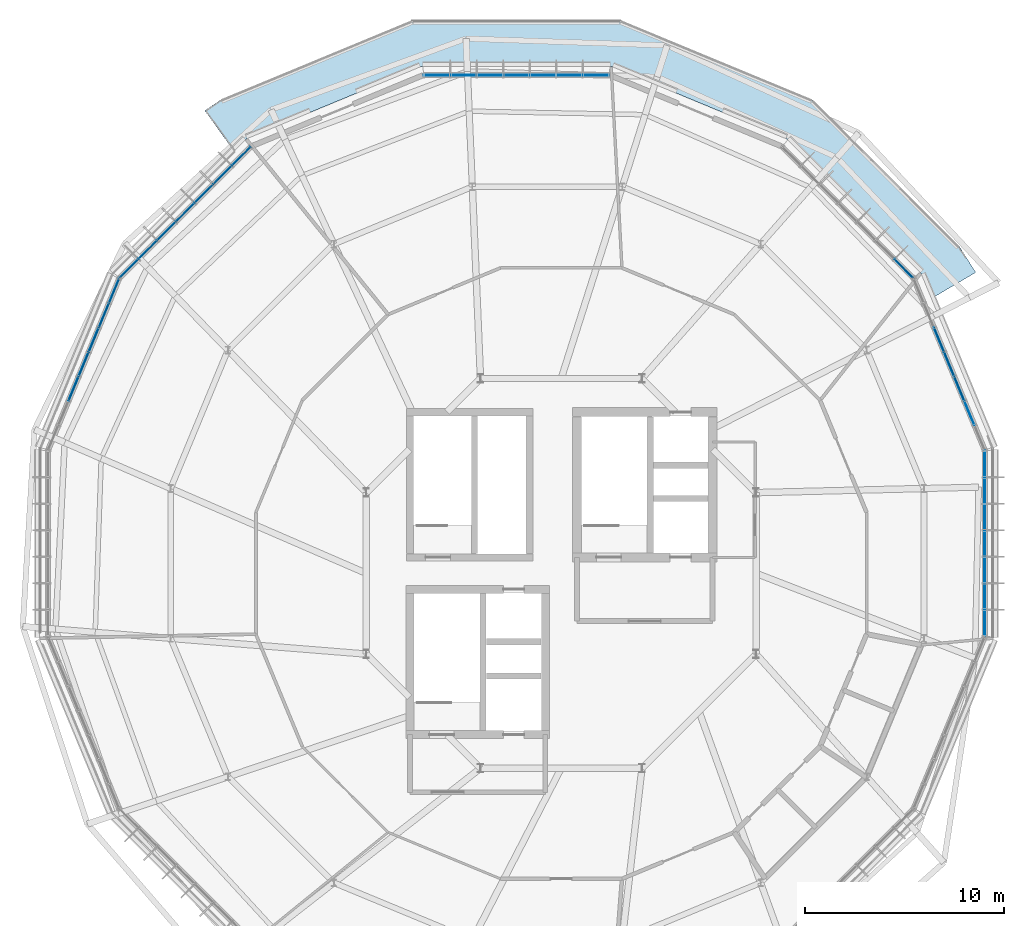
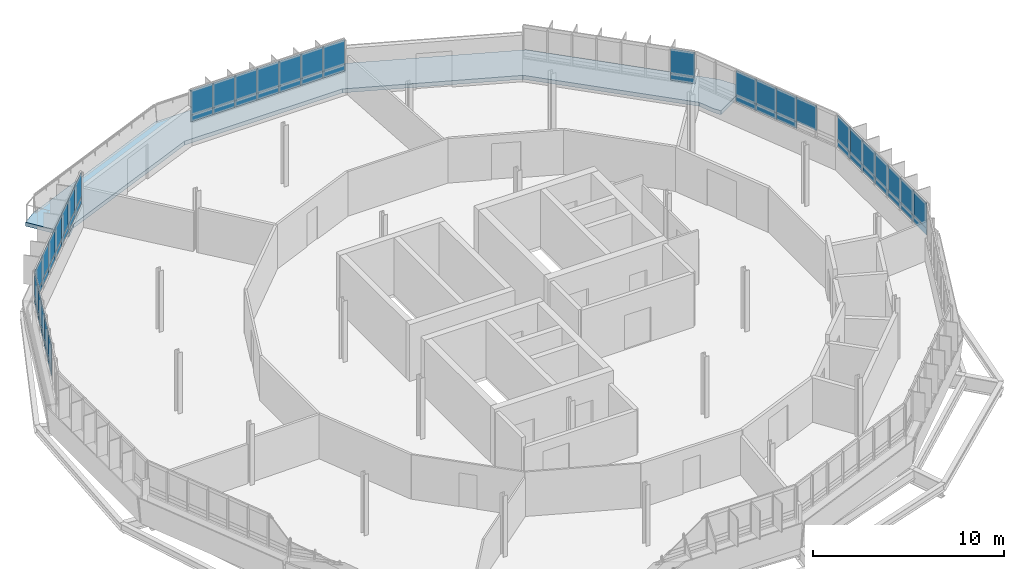
# One storey, part 25 of 31: 61 plates, 1 slab, 6 elements without a shape of their own.
"""IFC4 building model written with IfcOpenShell, lengths in metres."""

import ifcopenshell
import ifcopenshell.guid

model = None  # the IFC model being written
_history = None  # IfcOwnerHistory: only IFC2X3 demands one
_inside = {}  # id of a spatial element -> (the spatial element, [elements in it])
_under = {}  # id of a project, library or spatial element -> (it, [spatial elements below it])
_declared = {}  # id of a project -> (the project, [libraries it declares])
_typed = {}  # id of a type object -> (the type object, [elements of that type])
_made_of = {}  # id of a material, layer set ... -> (it, [elements and type objects made of it])


def new_model(schema):
    """Start an empty IFC model of exactly this schema.

    Asked for "IFC4X3", IfcOpenShell would pick the latest addendum, in which some entities
    have other attributes; the version numbers below select the first issue.
    IFC2X3 requires an IfcOwnerHistory on every rooted entity: one is made here for all.
    """
    global model, _history
    if schema == "IFC4X3":
        model = ifcopenshell.file(schema_version=(4, 3, 0, 0))
    else:
        model = ifcopenshell.file(schema=schema)
    _inside.clear()
    _under.clear()
    _declared.clear()
    _typed.clear()
    _made_of.clear()
    _history = None
    if model.schema == "IFC2X3":
        org = make("IfcOrganization", Name="unknown")
        user = make(
            "IfcPersonAndOrganization",
            ThePerson=make("IfcPerson", FamilyName="unknown"),
            TheOrganization=org,
        )
        app = make(
            "IfcApplication",
            ApplicationDeveloper=org,
            Version="unknown",
            ApplicationFullName="unknown",
            ApplicationIdentifier="unknown",
        )
        _history = make(
            "IfcOwnerHistory",
            OwningUser=user,
            OwningApplication=app,
            ChangeAction="ADDED",
            CreationDate=0,
        )
    return model


def make(cls, **values):
    """One entity of the class cls with the attributes given. An attribute that is None is left unset."""
    return model.create_entity(
        cls, **{name: value for name, value in values.items() if value is not None}
    )


def rooted(cls, **values):
    """An entity with a GlobalId (a new one), such as an element, a storey or a relation."""
    return make(cls, GlobalId=ifcopenshell.guid.new(), OwnerHistory=_history, **values)


def si_unit(unit_type, name, prefix=None):
    """IfcSIUnit, for example si_unit("LENGTHUNIT", "METRE", prefix="MILLI")."""
    return make("IfcSIUnit", UnitType=unit_type, Prefix=prefix, Name=name)


def derived_unit(unit_type, elements):
    """IfcDerivedUnit: a product of units, each with its exponent."""
    return make(
        "IfcDerivedUnit",
        Elements=[
            make("IfcDerivedUnitElement", Unit=unit, Exponent=power)
            for unit, power in elements
        ],
        UnitType=unit_type,
    )


def assignment(units):
    """IfcUnitAssignment: the units of a project."""
    return None if units is None else make("IfcUnitAssignment", Units=units)


def point(xyz):
    """IfcCartesianPoint."""
    return None if xyz is None else make("IfcCartesianPoint", Coordinates=xyz)


def direction(xyz):
    """IfcDirection."""
    return None if xyz is None else make("IfcDirection", DirectionRatios=xyz)


def frame(location, z_axis=None, x_axis=None):
    """IfcAxis2Placement3D, a coordinate frame: its origin and axes. An axis left out is left unset."""
    return make(
        "IfcAxis2Placement3D",
        Location=point(location),
        Axis=direction(z_axis),
        RefDirection=direction(x_axis),
    )


def frame_2d(location, x_axis=None):
    """IfcAxis2Placement2D, a coordinate frame in the plane: its origin and x axis."""
    return make(
        "IfcAxis2Placement2D", Location=point(location), RefDirection=direction(x_axis)
    )


def origin():
    """The frame at (0, 0, 0) with its axes left unset."""
    return frame((0.0, 0.0, 0.0))


def origin_2d():
    """The frame at (0, 0) in the plane with its x axis left unset."""
    return frame_2d((0.0, 0.0))


def place(relative_to, where):
    """IfcLocalPlacement: puts the frame where relative to a parent placement (None: the world)."""
    return make(
        "IfcLocalPlacement", PlacementRelTo=relative_to, RelativePlacement=where
    )


def context(
    kind, dimensions, precision=None, world=None, true_north=None, identifier=None
):
    """IfcGeometricRepresentationContext, for example the 3D "Model" context."""
    return make(
        "IfcGeometricRepresentationContext",
        ContextIdentifier=identifier,
        ContextType=kind,
        CoordinateSpaceDimension=dimensions,
        Precision=precision,
        WorldCoordinateSystem=world,
        TrueNorth=true_north,
    )


def subcontext(parent, identifier, kind, view, scale=None):
    """IfcGeometricRepresentationSubContext, for example "Body" below "Model"."""
    return make(
        "IfcGeometricRepresentationSubContext",
        ContextIdentifier=identifier,
        ContextType=kind,
        ParentContext=parent,
        TargetScale=scale,
        TargetView=view,
    )


def project(units=None, contexts=None):
    """IfcProject with its units and contexts."""
    return rooted(
        "IfcProject",
        Name="project",
        RepresentationContexts=contexts,
        UnitsInContext=assignment(units),
    )


def spatial(cls, under=None, at=None, **own):
    """A site, building, storey or space (cls), placed at a placement, below another one or the project."""
    s = rooted(cls, ObjectPlacement=at, **own)
    if under is not None:
        _under.setdefault(under.id(), (under, []))[1].append(s)
    return s


def polyline(points):
    """IfcPolyline through the points."""
    return make("IfcPolyline", Points=[point(p) for p in points])


def profile(cls, at=None, kind="AREA", **sizes):
    """A parametric profile (cls). Its sizes go by their IFC names, for example OverallWidth=200.0."""
    return make(cls, ProfileType=kind, Position=at, **sizes)


def rectangle(**sizes):
    """IfcRectangleProfileDef."""
    return profile("IfcRectangleProfileDef", **sizes)


def outline(outer, holes=None, kind="AREA"):
    """IfcArbitraryClosedProfileDef: a profile drawn as a closed curve; with holes, ...WithVoids."""
    if holes is None:
        return make("IfcArbitraryClosedProfileDef", ProfileType=kind, OuterCurve=outer)
    return make(
        "IfcArbitraryProfileDefWithVoids",
        ProfileType=kind,
        OuterCurve=outer,
        InnerCurves=holes,
    )


def extrude(swept, where, along, depth):
    """IfcExtrudedAreaSolid: the profile swept, set in the frame where, extruded along a direction by depth."""
    return make(
        "IfcExtrudedAreaSolid",
        SweptArea=swept,
        Position=where,
        ExtrudedDirection=direction(along),
        Depth=depth,
    )


def shape(context_of_items, identifier, shape_type, items):
    """IfcShapeRepresentation: the items that make up one representation, for example the "Body"."""
    return make(
        "IfcShapeRepresentation",
        ContextOfItems=context_of_items,
        RepresentationIdentifier=identifier,
        RepresentationType=shape_type,
        Items=items,
    )


def material(Name=None, Category=None):
    """IfcMaterial."""
    return make("IfcMaterial", Name=Name, Category=Category)


def layer(
    of_material, thickness, ventilated=None, Name=None, Category=None, Priority=None
):
    """IfcMaterialLayer: one layer of a wall or slab, of a material (None: an air gap)."""
    return make(
        "IfcMaterialLayer",
        Material=of_material,
        LayerThickness=thickness,
        IsVentilated=ventilated,
        Name=Name,
        Category=Category,
        Priority=Priority,
    )


def layer_set(layers, Name=None):
    """IfcMaterialLayerSet."""
    return make("IfcMaterialLayerSet", MaterialLayers=layers, LayerSetName=Name)


def made_of(thing, what):
    """Note that an element or type object is made of a material, layer set ...; save() writes the relation."""
    if what is not None:
        _made_of.setdefault(what.id(), (what, []))[1].append(thing)
    return thing


def type_object(cls, material=None, **own):
    """A type object (cls), such as IfcWallType, which elements share."""
    return made_of(rooted(cls, **own), material)


def element(
    cls,
    number,
    at=None,
    inside=None,
    cuts=None,
    type_object=None,
    material=None,
    context=None,
    identifier="Body",
    shape_type=None,
    held_by="IfcProductDefinitionShape",
    body=None,
    shapes=None,
    **own,
):
    """One element of the class cls, such as IfcWall. Its Tag is "e" and its number.

    at: its placement. inside: the storey or other place that contains it. cuts: it is an
    opening in that element (IfcRelVoidsElement). A single representation is given by context,
    identifier, shape_type and body (its items); several are given by shapes. held_by: the class
    of the entity that holds the representations. save() writes the other relations.
    """
    e = rooted(cls, Tag="e%d" % number, ObjectPlacement=at, **own)
    if body is not None:
        shapes = [shape(context, identifier, shape_type, body)]
    if shapes is not None:
        e.Representation = make(held_by, Representations=shapes)
    if inside is not None:
        _inside.setdefault(inside.id(), (inside, []))[1].append(e)
    if cuts is not None:
        rooted(
            "IfcRelVoidsElement", RelatingBuildingElement=cuts, RelatedOpeningElement=e
        )
    if type_object is not None:
        _typed.setdefault(type_object.id(), (type_object, []))[1].append(e)
    return made_of(e, material)


def aggregate(whole, parts):
    """IfcRelAggregates: a whole, such as a stair, and the parts it consists of."""
    return rooted("IfcRelAggregates", RelatingObject=whole, RelatedObjects=parts)


def save(model, path):
    """Write the relations noted so far, then the file.

    IfcRelAggregates (storeys below a building ...), IfcRelContainedInSpatialStructure (elements
    in a storey), IfcRelDefinesByType, IfcRelAssociatesMaterial and IfcRelDeclares: one each for
    every whole, place, type object, material and project.
    """
    for whole, parts in _under.values():
        aggregate(whole, parts)
    for where, things in _inside.values():
        rooted(
            "IfcRelContainedInSpatialStructure",
            RelatedElements=things,
            RelatingStructure=where,
        )
    for kind, things in _typed.values():
        rooted("IfcRelDefinesByType", RelatedObjects=things, RelatingType=kind)
    for what, things in _made_of.values():
        rooted("IfcRelAssociatesMaterial", RelatedObjects=things, RelatingMaterial=what)
    for by, libraries in _declared.values():
        rooted("IfcRelDeclares", RelatingContext=by, RelatedDefinitions=libraries)
    model.write(path)


model = new_model("IFC4")

# Units and contexts
model_context = context("Model", 3, precision=1e-05, world=origin(), true_north=direction((0.0, 1.0)))
body_context = subcontext(model_context, "Body", "Model", "MODEL_VIEW")
ifc_project = project(units=[si_unit("LENGTHUNIT", "METRE"), si_unit("AREAUNIT", "SQUARE_METRE"), si_unit("VOLUMEUNIT", "CUBIC_METRE"), si_unit("PLANEANGLEUNIT", "RADIAN"), si_unit("MASSUNIT", "GRAM", prefix="KILO"), derived_unit("THERMALTRANSMITTANCEUNIT", [(si_unit("MASSUNIT", "GRAM", prefix="KILO"), 1), (si_unit("TIMEUNIT", "SECOND"), -3), (si_unit("THERMODYNAMICTEMPERATUREUNIT", "KELVIN"), -1)])], contexts=[model_context])

# Site, building, storey
site_placement = place(None, origin())
site = spatial("IfcSite", under=ifc_project, at=site_placement, CompositionType="ELEMENT")
building_placement = place(site_placement, origin())
building = spatial("IfcBuilding", under=site, at=building_placement, Name="Makaiwela Harbour Ferry Terminal", CompositionType="ELEMENT")
storey_placement = place(building_placement, frame((0.0, 0.0, 21.60009765625)))
storey = spatial("IfcBuildingStorey", under=building, at=storey_placement, Name="L05", CompositionType="ELEMENT", Elevation=21.60009765625)

# Curtain wall, plates
ifc_material_1 = material(Name="Marine anodised aluminium 6063-T6", Category="aluminium")
ifc_layer_1 = layer(ifc_material_1, 0.199951171875)
ifc_layer_set_1 = layer_set([ifc_layer_1], Name="Marine anodised aluminium 6063-T6")
curtain_wall_type = type_object("IfcCurtainWallType", Name="ENV-CW-07", PredefinedType="USERDEFINED", material=ifc_layer_set_1)
curtain_wall_1_placement = place(storey_placement, origin())
curtain_wall_1 = element("IfcCurtainWall", 1, at=curtain_wall_1_placement, inside=storey, type_object=curtain_wall_type, Name="Unitised Curtain Wall CWA-058", ObjectType="UNITIZED CURTAIN WALL", PredefinedType="USERDEFINED")
ifc_material_2 = material(Name="Laminated hurricane-impact low-E insulated glazing", Category="glass")
ifc_layer_2 = layer(ifc_material_2, 0.031982421875)
ifc_layer_set_2 = layer_set([ifc_layer_2], Name="Laminated hurricane-impact low-E insulated glazing")
plate_type_1 = type_object("IfcPlateType", Name="CW-PNL-G10", PredefinedType="CURTAIN_PANEL", material=ifc_layer_set_2)
plate_1_placement = place(storey_placement, frame((58.314208984375, 75.65185546875, 1.89990234375), z_axis=(0.0, 0.0, 1.0), x_axis=(-0.382683432365, 0.923879532511, 0.0)))
plate_1 = element("IfcPlate", 2, at=plate_1_placement, type_object=plate_type_1, Name="Glazed Vision Panel CWA-058-2G", PredefinedType="CURTAIN_PANEL", context=body_context, shape_type="SweptSolid", body=[
    extrude(rectangle(XDim=1.3291015625, YDim=0.031982421875, at=origin_2d()), origin(), (0.0, 0.0, 1.0), 1.580078125),
])
plate_2_placement = place(storey_placement, frame((57.8056640625, 76.8798828125, 1.89990234375), z_axis=(0.0, 0.0, 1.0), x_axis=(-0.382683432365, 0.923879532511, 0.0)))
plate_2 = element("IfcPlate", 3, at=plate_2_placement, type_object=plate_type_1, Name="Glazed Vision Panel CWA-058-3G", PredefinedType="CURTAIN_PANEL", context=body_context, shape_type="SweptSolid", body=[
    extrude(rectangle(XDim=1.3291015625, YDim=0.031982421875, at=origin_2d()), origin(), (0.0, 0.0, 1.0), 1.580078125),
])
plate_3_placement = place(storey_placement, frame((57.297119140625, 78.10791015625, 1.89990234375), z_axis=(0.0, 0.0, 1.0), x_axis=(-0.382683432365, 0.923879532511, 0.0)))
plate_3 = element("IfcPlate", 4, at=plate_3_placement, type_object=plate_type_1, Name="Glazed Vision Panel CWA-058-4G", PredefinedType="CURTAIN_PANEL", context=body_context, shape_type="SweptSolid", body=[
    extrude(rectangle(XDim=1.3291015625, YDim=0.031982421875, at=origin_2d()), origin(), (0.0, 0.0, 1.0), 1.580078125),
])
plate_4_placement = place(storey_placement, frame((56.788330078125, 79.3359375, 1.89990234375), z_axis=(0.0, 0.0, 1.0), x_axis=(-0.382683432365, 0.923879532511, 0.0)))
plate_4 = element("IfcPlate", 5, at=plate_4_placement, type_object=plate_type_1, Name="Glazed Vision Panel CWA-058-5G", PredefinedType="CURTAIN_PANEL", context=body_context, shape_type="SweptSolid", body=[
    extrude(rectangle(XDim=1.3291015625, YDim=0.031982421875, at=origin_2d()), origin(), (0.0, 0.0, 1.0), 1.580078125),
])

# Curtain wall, plate
curtain_wall_2_placement = place(storey_placement, origin())
curtain_wall_2 = element("IfcCurtainWall", 6, at=curtain_wall_2_placement, inside=storey, type_object=curtain_wall_type, Name="Unitised Curtain Wall CWA-059", ObjectType="UNITIZED CURTAIN WALL", PredefinedType="USERDEFINED")
plate_5_placement = place(storey_placement, frame((55.01416015625, 82.9248046875, 1.89990234375), z_axis=(0.0, 0.0, 1.0), x_axis=(-0.707106781187, 0.707106781187, 0.0)))
plate_5 = element("IfcPlate", 7, at=plate_5_placement, type_object=plate_type_1, Name="Glazed Vision Panel CWA-059-1G", PredefinedType="CURTAIN_PANEL", context=body_context, shape_type="SweptSolid", body=[
    extrude(rectangle(XDim=1.3291015625, YDim=0.031982421875, at=origin_2d()), origin(), (0.0, 0.0, 1.0), 1.580078125),
])

# Curtain wall, plates
curtain_wall_3_placement = place(storey_placement, origin())
curtain_wall_3 = element("IfcCurtainWall", 8, at=curtain_wall_3_placement, inside=storey, type_object=curtain_wall_type, Name="Unitised Curtain Wall CWA-060", ObjectType="UNITIZED CURTAIN WALL", PredefinedType="USERDEFINED")
plate_6_placement = place(storey_placement, frame((39.53759765625, 92.638916015625, 1.89990234375), z_axis=(0.0, 0.0, 1.0), x_axis=(-1.0, 0.0, 0.0)))
plate_6 = element("IfcPlate", 9, at=plate_6_placement, type_object=plate_type_1, Name="Glazed Vision Panel CWA-060-1G", PredefinedType="CURTAIN_PANEL", context=body_context, shape_type="SweptSolid", body=[
    extrude(rectangle(XDim=1.3291015625, YDim=0.031982421875, at=origin_2d()), origin(), (0.0, 0.0, 1.0), 1.580078125),
])
plate_7_placement = place(storey_placement, frame((38.20849609375, 92.638916015625, 1.89990234375), z_axis=(0.0, 0.0, 1.0), x_axis=(-1.0, 0.0, 0.0)))
plate_7 = element("IfcPlate", 10, at=plate_7_placement, type_object=plate_type_1, Name="Glazed Vision Panel CWA-060-2G", PredefinedType="CURTAIN_PANEL", context=body_context, shape_type="SweptSolid", body=[
    extrude(rectangle(XDim=1.3291015625, YDim=0.031982421875, at=origin_2d()), origin(), (0.0, 0.0, 1.0), 1.580078125),
])
plate_8_placement = place(storey_placement, frame((36.879150390625, 92.638916015625, 1.89990234375), z_axis=(0.0, 0.0, 1.0), x_axis=(-1.0, 0.0, 0.0)))
plate_8 = element("IfcPlate", 11, at=plate_8_placement, type_object=plate_type_1, Name="Glazed Vision Panel CWA-060-3G", PredefinedType="CURTAIN_PANEL", context=body_context, shape_type="SweptSolid", body=[
    extrude(rectangle(XDim=1.3291015625, YDim=0.031982421875, at=origin_2d()), origin(), (0.0, 0.0, 1.0), 1.580078125),
])
plate_9_placement = place(storey_placement, frame((35.550048828125, 92.638916015625, 1.89990234375), z_axis=(0.0, 0.0, 1.0), x_axis=(-1.0, 0.0, 0.0)))
plate_9 = element("IfcPlate", 12, at=plate_9_placement, type_object=plate_type_1, Name="Glazed Vision Panel CWA-060-4G", PredefinedType="CURTAIN_PANEL", context=body_context, shape_type="SweptSolid", body=[
    extrude(rectangle(XDim=1.3291015625, YDim=0.031982421875, at=origin_2d()), origin(), (0.0, 0.0, 1.0), 1.580078125),
])
plate_10_placement = place(storey_placement, frame((34.220703125, 92.638916015625, 1.89990234375), z_axis=(0.0, 0.0, 1.0), x_axis=(-1.0, 0.0, 0.0)))
plate_10 = element("IfcPlate", 13, at=plate_10_placement, type_object=plate_type_1, Name="Glazed Vision Panel CWA-060-5G", PredefinedType="CURTAIN_PANEL", context=body_context, shape_type="SweptSolid", body=[
    extrude(rectangle(XDim=1.3291015625, YDim=0.031982421875, at=origin_2d()), origin(), (0.0, 0.0, 1.0), 1.580078125),
])
plate_11_placement = place(storey_placement, frame((32.8916015625, 92.638916015625, 1.89990234375), z_axis=(0.0, 0.0, 1.0), x_axis=(-1.0, 0.0, 0.0)))
plate_11 = element("IfcPlate", 14, at=plate_11_placement, type_object=plate_type_1, Name="Glazed Vision Panel CWA-060-6G", PredefinedType="CURTAIN_PANEL", context=body_context, shape_type="SweptSolid", body=[
    extrude(rectangle(XDim=1.3291015625, YDim=0.031982421875, at=origin_2d()), origin(), (0.0, 0.0, 1.0), 1.580078125),
])
plate_12_placement = place(storey_placement, frame((31.5625, 92.638916015625, 1.89990234375), z_axis=(0.0, 0.0, 1.0), x_axis=(-1.0, 0.0, 0.0)))
plate_12 = element("IfcPlate", 15, at=plate_12_placement, type_object=plate_type_1, Name="Glazed Vision Panel CWA-060-7G", PredefinedType="CURTAIN_PANEL", context=body_context, shape_type="SweptSolid", body=[
    extrude(rectangle(XDim=1.3291015625, YDim=0.031982421875, at=origin_2d()), origin(), (0.0, 0.0, 1.0), 1.580078125),
])

curtain_wall_4_placement = place(storey_placement, origin())
curtain_wall_4 = element("IfcCurtainWall", 16, at=curtain_wall_4_placement, inside=storey, type_object=curtain_wall_type, Name="Unitised Curtain Wall CWA-061", ObjectType="UNITIZED CURTAIN WALL", PredefinedType="USERDEFINED")
plate_13_placement = place(storey_placement, frame((21.72509765625, 88.564208984375, 1.89990234375), z_axis=(0.0, 0.0, 1.0), x_axis=(-0.707106781187, -0.707106781187, 0.0)))
plate_13 = element("IfcPlate", 17, at=plate_13_placement, type_object=plate_type_1, Name="Glazed Vision Panel CWA-061-1G", PredefinedType="CURTAIN_PANEL", context=body_context, shape_type="SweptSolid", body=[
    extrude(rectangle(XDim=1.3291015625, YDim=0.031982421875, at=origin_2d()), origin(), (0.0, 0.0, 1.0), 1.580078125),
])
plate_14_placement = place(storey_placement, frame((20.785400390625, 87.624267578125, 1.89990234375), z_axis=(0.0, 0.0, 1.0), x_axis=(-0.707106781187, -0.707106781187, 0.0)))
plate_14 = element("IfcPlate", 18, at=plate_14_placement, type_object=plate_type_1, Name="Glazed Vision Panel CWA-061-2G", PredefinedType="CURTAIN_PANEL", context=body_context, shape_type="SweptSolid", body=[
    extrude(rectangle(XDim=1.3291015625, YDim=0.031982421875, at=origin_2d()), origin(), (0.0, 0.0, 1.0), 1.580078125),
])
plate_15_placement = place(storey_placement, frame((19.845458984375, 86.684326171875, 1.89990234375), z_axis=(0.0, 0.0, 1.0), x_axis=(-0.707106781187, -0.707106781187, 0.0)))
plate_15 = element("IfcPlate", 19, at=plate_15_placement, type_object=plate_type_1, Name="Glazed Vision Panel CWA-061-3G", PredefinedType="CURTAIN_PANEL", context=body_context, shape_type="SweptSolid", body=[
    extrude(rectangle(XDim=1.3291015625, YDim=0.031982421875, at=origin_2d()), origin(), (0.0, 0.0, 1.0), 1.580078125),
])
plate_16_placement = place(storey_placement, frame((18.905517578125, 85.744384765625, 1.89990234375), z_axis=(0.0, 0.0, 1.0), x_axis=(-0.707106781187, -0.707106781187, 0.0)))
plate_16 = element("IfcPlate", 20, at=plate_16_placement, type_object=plate_type_1, Name="Glazed Vision Panel CWA-061-4G", PredefinedType="CURTAIN_PANEL", context=body_context, shape_type="SweptSolid", body=[
    extrude(rectangle(XDim=1.3291015625, YDim=0.031982421875, at=origin_2d()), origin(), (0.0, 0.0, 1.0), 1.580078125),
])
plate_17_placement = place(storey_placement, frame((17.965576171875, 84.8046875, 1.89990234375), z_axis=(0.0, 0.0, 1.0), x_axis=(-0.707106781187, -0.707106781187, 0.0)))
plate_17 = element("IfcPlate", 21, at=plate_17_placement, type_object=plate_type_1, Name="Glazed Vision Panel CWA-061-5G", PredefinedType="CURTAIN_PANEL", context=body_context, shape_type="SweptSolid", body=[
    extrude(rectangle(XDim=1.3291015625, YDim=0.031982421875, at=origin_2d()), origin(), (0.0, 0.0, 1.0), 1.580078125),
])
plate_18_placement = place(storey_placement, frame((17.025634765625, 83.86474609375, 1.89990234375), z_axis=(0.0, 0.0, 1.0), x_axis=(-0.707106781187, -0.707106781187, 0.0)))
plate_18 = element("IfcPlate", 22, at=plate_18_placement, type_object=plate_type_1, Name="Glazed Vision Panel CWA-061-6G", PredefinedType="CURTAIN_PANEL", context=body_context, shape_type="SweptSolid", body=[
    extrude(rectangle(XDim=1.3291015625, YDim=0.031982421875, at=origin_2d()), origin(), (0.0, 0.0, 1.0), 1.580078125),
])
plate_19_placement = place(storey_placement, frame((16.085693359375, 82.9248046875, 1.89990234375), z_axis=(0.0, 0.0, 1.0), x_axis=(-0.707106781187, -0.707106781187, 0.0)))
plate_19 = element("IfcPlate", 23, at=plate_19_placement, type_object=plate_type_1, Name="Glazed Vision Panel CWA-061-7G", PredefinedType="CURTAIN_PANEL", context=body_context, shape_type="SweptSolid", body=[
    extrude(rectangle(XDim=1.3291015625, YDim=0.031982421875, at=origin_2d()), origin(), (0.0, 0.0, 1.0), 1.580078125),
])

curtain_wall_5_placement = place(storey_placement, origin())
curtain_wall_5 = element("IfcCurtainWall", 24, at=curtain_wall_5_placement, inside=storey, type_object=curtain_wall_type, Name="Unitised Curtain Wall CWA-062", ObjectType="UNITIZED CURTAIN WALL", PredefinedType="USERDEFINED")
plate_20_placement = place(storey_placement, frame((15.328857421875, 81.7919921875, 1.89990234375), z_axis=(0.0, 0.0, 1.0), x_axis=(-0.382683432365, -0.923879532511, 0.0)))
plate_20 = element("IfcPlate", 25, at=plate_20_placement, type_object=plate_type_1, Name="Glazed Vision Panel CWA-062-1G", PredefinedType="CURTAIN_PANEL", context=body_context, shape_type="SweptSolid", body=[
    extrude(rectangle(XDim=1.3291015625, YDim=0.031982421875, at=origin_2d()), origin(), (0.0, 0.0, 1.0), 1.580078125),
])
plate_21_placement = place(storey_placement, frame((14.8203125, 80.56396484375, 1.89990234375), z_axis=(0.0, 0.0, 1.0), x_axis=(-0.382683432365, -0.923879532511, 0.0)))
plate_21 = element("IfcPlate", 26, at=plate_21_placement, type_object=plate_type_1, Name="Glazed Vision Panel CWA-062-2G", PredefinedType="CURTAIN_PANEL", context=body_context, shape_type="SweptSolid", body=[
    extrude(rectangle(XDim=1.3291015625, YDim=0.031982421875, at=origin_2d()), origin(), (0.0, 0.0, 1.0), 1.580078125),
])
plate_22_placement = place(storey_placement, frame((14.3115234375, 79.3359375, 1.89990234375), z_axis=(0.0, 0.0, 1.0), x_axis=(-0.382683432365, -0.923879532511, 0.0)))
plate_22 = element("IfcPlate", 27, at=plate_22_placement, type_object=plate_type_1, Name="Glazed Vision Panel CWA-062-3G", PredefinedType="CURTAIN_PANEL", context=body_context, shape_type="SweptSolid", body=[
    extrude(rectangle(XDim=1.3291015625, YDim=0.031982421875, at=origin_2d()), origin(), (0.0, 0.0, 1.0), 1.580078125),
])
plate_23_placement = place(storey_placement, frame((13.802978515625, 78.10791015625, 1.89990234375), z_axis=(0.0, 0.0, 1.0), x_axis=(-0.382683432365, -0.923879532511, 0.0)))
plate_23 = element("IfcPlate", 28, at=plate_23_placement, type_object=plate_type_1, Name="Glazed Vision Panel CWA-062-4G", PredefinedType="CURTAIN_PANEL", context=body_context, shape_type="SweptSolid", body=[
    extrude(rectangle(XDim=1.3291015625, YDim=0.031982421875, at=origin_2d()), origin(), (0.0, 0.0, 1.0), 1.580078125),
])
plate_24_placement = place(storey_placement, frame((13.294189453125, 76.8798828125, 1.89990234375), z_axis=(0.0, 0.0, 1.0), x_axis=(-0.382683432365, -0.923879532511, 0.0)))
plate_24 = element("IfcPlate", 29, at=plate_24_placement, type_object=plate_type_1, Name="Glazed Vision Panel CWA-062-5G", PredefinedType="CURTAIN_PANEL", context=body_context, shape_type="SweptSolid", body=[
    extrude(rectangle(XDim=1.3291015625, YDim=0.031982421875, at=origin_2d()), origin(), (0.0, 0.0, 1.0), 1.580078125),
])

curtain_wall_6_placement = place(storey_placement, origin())
curtain_wall_6 = element("IfcCurtainWall", 30, at=curtain_wall_6_placement, inside=storey, type_object=curtain_wall_type, Name="Unitised Curtain Wall CWA-071", ObjectType="UNITIZED CURTAIN WALL", PredefinedType="USERDEFINED")
plate_25_placement = place(storey_placement, frame((59.0888671875, 65.1123046875, 1.89990234375), z_axis=(0.0, 0.0, 1.0), x_axis=(0.0, 1.0, 0.0)))
plate_25 = element("IfcPlate", 31, at=plate_25_placement, type_object=plate_type_1, Name="Glazed Vision Panel CWA-071-1G", PredefinedType="CURTAIN_PANEL", context=body_context, shape_type="SweptSolid", body=[
    extrude(rectangle(XDim=1.3291015625, YDim=0.031982421875, at=origin_2d()), origin(), (0.0, 0.0, 1.0), 1.580078125),
])
plate_26_placement = place(storey_placement, frame((59.0888671875, 66.441650390625, 1.89990234375), z_axis=(0.0, 0.0, 1.0), x_axis=(0.0, 1.0, 0.0)))
plate_26 = element("IfcPlate", 32, at=plate_26_placement, type_object=plate_type_1, Name="Glazed Vision Panel CWA-071-2G", PredefinedType="CURTAIN_PANEL", context=body_context, shape_type="SweptSolid", body=[
    extrude(rectangle(XDim=1.3291015625, YDim=0.031982421875, at=origin_2d()), origin(), (0.0, 0.0, 1.0), 1.580078125),
])
plate_27_placement = place(storey_placement, frame((59.0888671875, 67.770751953125, 1.89990234375), z_axis=(0.0, 0.0, 1.0), x_axis=(0.0, 1.0, 0.0)))
plate_27 = element("IfcPlate", 33, at=plate_27_placement, type_object=plate_type_1, Name="Glazed Vision Panel CWA-071-3G", PredefinedType="CURTAIN_PANEL", context=body_context, shape_type="SweptSolid", body=[
    extrude(rectangle(XDim=1.3291015625, YDim=0.031982421875, at=origin_2d()), origin(), (0.0, 0.0, 1.0), 1.580078125),
])
plate_28_placement = place(storey_placement, frame((59.0888671875, 69.10009765625, 1.89990234375), z_axis=(0.0, 0.0, 1.0), x_axis=(0.0, 1.0, 0.0)))
plate_28 = element("IfcPlate", 34, at=plate_28_placement, type_object=plate_type_1, Name="Glazed Vision Panel CWA-071-4G", PredefinedType="CURTAIN_PANEL", context=body_context, shape_type="SweptSolid", body=[
    extrude(rectangle(XDim=1.3291015625, YDim=0.031982421875, at=origin_2d()), origin(), (0.0, 0.0, 1.0), 1.580078125),
])
plate_29_placement = place(storey_placement, frame((59.0888671875, 70.42919921875, 1.89990234375), z_axis=(0.0, 0.0, 1.0), x_axis=(0.0, 1.0, 0.0)))
plate_29 = element("IfcPlate", 35, at=plate_29_placement, type_object=plate_type_1, Name="Glazed Vision Panel CWA-071-5G", PredefinedType="CURTAIN_PANEL", context=body_context, shape_type="SweptSolid", body=[
    extrude(rectangle(XDim=1.3291015625, YDim=0.031982421875, at=origin_2d()), origin(), (0.0, 0.0, 1.0), 1.580078125),
])
plate_30_placement = place(storey_placement, frame((59.0888671875, 71.75830078125, 1.89990234375), z_axis=(0.0, 0.0, 1.0), x_axis=(0.0, 1.0, 0.0)))
plate_30 = element("IfcPlate", 36, at=plate_30_placement, type_object=plate_type_1, Name="Glazed Vision Panel CWA-071-6G", PredefinedType="CURTAIN_PANEL", context=body_context, shape_type="SweptSolid", body=[
    extrude(rectangle(XDim=1.3291015625, YDim=0.031982421875, at=origin_2d()), origin(), (0.0, 0.0, 1.0), 1.580078125),
])
plate_31_placement = place(storey_placement, frame((59.0888671875, 73.087646484375, 1.89990234375), z_axis=(0.0, 0.0, 1.0), x_axis=(0.0, 1.0, 0.0)))
plate_31 = element("IfcPlate", 37, at=plate_31_placement, type_object=plate_type_1, Name="Glazed Vision Panel CWA-071-7G", PredefinedType="CURTAIN_PANEL", context=body_context, shape_type="SweptSolid", body=[
    extrude(rectangle(XDim=1.3291015625, YDim=0.031982421875, at=origin_2d()), origin(), (0.0, 0.0, 1.0), 1.580078125),
])

# Plate
ifc_material_3 = material(Name="Insulated marine aluminium spandrel panel", Category="aluminium")
ifc_layer_3 = layer(ifc_material_3, 0.048095703125)
ifc_layer_set_3 = layer_set([ifc_layer_3], Name="Insulated marine aluminium spandrel panel")
plate_type_2 = type_object("IfcPlateType", Name="CW-PNL-S01", PredefinedType="CURTAIN_PANEL", material=ifc_layer_set_3)
plate_32_placement = place(storey_placement, frame((57.8056640625, 76.8798828125, 1.47998046875), z_axis=(0.0, 0.0, 1.0), x_axis=(-0.382683432365, 0.923879532511, 0.0)))
plate_32 = element("IfcPlate", 38, at=plate_32_placement, type_object=plate_type_2, Name="Spandrel Panel CWA-058-3S", PredefinedType="CURTAIN_PANEL", context=body_context, shape_type="SweptSolid", body=[
    extrude(rectangle(XDim=1.3291015625, YDim=0.048095703125, at=origin_2d()), origin(), (0.0, 0.0, 1.0), 0.419921875),
])

plate_33_placement = place(storey_placement, frame((57.297119140625, 78.10791015625, 1.47998046875), z_axis=(0.0, 0.0, 1.0), x_axis=(-0.382683432365, 0.923879532511, 0.0)))
plate_33 = element("IfcPlate", 39, at=plate_33_placement, type_object=plate_type_2, Name="Spandrel Panel CWA-058-4S", PredefinedType="CURTAIN_PANEL", context=body_context, shape_type="SweptSolid", body=[
    extrude(rectangle(XDim=1.3291015625, YDim=0.048095703125, at=origin_2d()), origin(), (0.0, 0.0, 1.0), 0.419921875),
])

plate_34_placement = place(storey_placement, frame((56.788330078125, 79.3359375, 1.47998046875), z_axis=(0.0, 0.0, 1.0), x_axis=(-0.382683432365, 0.923879532511, 0.0)))
plate_34 = element("IfcPlate", 40, at=plate_34_placement, type_object=plate_type_2, Name="Spandrel Panel CWA-058-5S", PredefinedType="CURTAIN_PANEL", context=body_context, shape_type="SweptSolid", body=[
    extrude(rectangle(XDim=1.3291015625, YDim=0.048095703125, at=origin_2d()), origin(), (0.0, 0.0, 1.0), 0.419921875),
])

aggregate(curtain_wall_1, [plate_1, plate_32, plate_2, plate_33, plate_3, plate_34, plate_4])

plate_35_placement = place(storey_placement, frame((55.01416015625, 82.9248046875, 1.47998046875), z_axis=(0.0, 0.0, 1.0), x_axis=(-0.707106781187, 0.707106781187, 0.0)))
plate_35 = element("IfcPlate", 41, at=plate_35_placement, type_object=plate_type_2, Name="Spandrel Panel CWA-059-1S", PredefinedType="CURTAIN_PANEL", context=body_context, shape_type="SweptSolid", body=[
    extrude(rectangle(XDim=1.3291015625, YDim=0.048095703125, at=origin_2d()), origin(), (0.0, 0.0, 1.0), 0.419921875),
])

aggregate(curtain_wall_2, [plate_35, plate_5])

plate_36_placement = place(storey_placement, frame((39.53759765625, 92.638916015625, 1.47998046875), z_axis=(0.0, 0.0, 1.0), x_axis=(-1.0, 0.0, 0.0)))
plate_36 = element("IfcPlate", 42, at=plate_36_placement, type_object=plate_type_2, Name="Spandrel Panel CWA-060-1S", PredefinedType="CURTAIN_PANEL", context=body_context, shape_type="SweptSolid", body=[
    extrude(rectangle(XDim=1.3291015625, YDim=0.048095703125, at=origin_2d()), origin(), (0.0, 0.0, 1.0), 0.419921875),
])

plate_37_placement = place(storey_placement, frame((38.20849609375, 92.638916015625, 1.47998046875), z_axis=(0.0, 0.0, 1.0), x_axis=(-1.0, 0.0, 0.0)))
plate_37 = element("IfcPlate", 43, at=plate_37_placement, type_object=plate_type_2, Name="Spandrel Panel CWA-060-2S", PredefinedType="CURTAIN_PANEL", context=body_context, shape_type="SweptSolid", body=[
    extrude(rectangle(XDim=1.3291015625, YDim=0.048095703125, at=origin_2d()), origin(), (0.0, 0.0, 1.0), 0.419921875),
])

plate_38_placement = place(storey_placement, frame((36.879150390625, 92.638916015625, 1.47998046875), z_axis=(0.0, 0.0, 1.0), x_axis=(-1.0, 0.0, 0.0)))
plate_38 = element("IfcPlate", 44, at=plate_38_placement, type_object=plate_type_2, Name="Spandrel Panel CWA-060-3S", PredefinedType="CURTAIN_PANEL", context=body_context, shape_type="SweptSolid", body=[
    extrude(rectangle(XDim=1.3291015625, YDim=0.048095703125, at=origin_2d()), origin(), (0.0, 0.0, 1.0), 0.419921875),
])

plate_39_placement = place(storey_placement, frame((35.550048828125, 92.638916015625, 1.47998046875), z_axis=(0.0, 0.0, 1.0), x_axis=(-1.0, 0.0, 0.0)))
plate_39 = element("IfcPlate", 45, at=plate_39_placement, type_object=plate_type_2, Name="Spandrel Panel CWA-060-4S", PredefinedType="CURTAIN_PANEL", context=body_context, shape_type="SweptSolid", body=[
    extrude(rectangle(XDim=1.3291015625, YDim=0.048095703125, at=origin_2d()), origin(), (0.0, 0.0, 1.0), 0.419921875),
])

plate_40_placement = place(storey_placement, frame((34.220703125, 92.638916015625, 1.47998046875), z_axis=(0.0, 0.0, 1.0), x_axis=(-1.0, 0.0, 0.0)))
plate_40 = element("IfcPlate", 46, at=plate_40_placement, type_object=plate_type_2, Name="Spandrel Panel CWA-060-5S", PredefinedType="CURTAIN_PANEL", context=body_context, shape_type="SweptSolid", body=[
    extrude(rectangle(XDim=1.3291015625, YDim=0.048095703125, at=origin_2d()), origin(), (0.0, 0.0, 1.0), 0.419921875),
])

plate_41_placement = place(storey_placement, frame((32.8916015625, 92.638916015625, 1.47998046875), z_axis=(0.0, 0.0, 1.0), x_axis=(-1.0, 0.0, 0.0)))
plate_41 = element("IfcPlate", 47, at=plate_41_placement, type_object=plate_type_2, Name="Spandrel Panel CWA-060-6S", PredefinedType="CURTAIN_PANEL", context=body_context, shape_type="SweptSolid", body=[
    extrude(rectangle(XDim=1.3291015625, YDim=0.048095703125, at=origin_2d()), origin(), (0.0, 0.0, 1.0), 0.419921875),
])

plate_42_placement = place(storey_placement, frame((31.5625, 92.638916015625, 1.47998046875), z_axis=(0.0, 0.0, 1.0), x_axis=(-1.0, 0.0, 0.0)))
plate_42 = element("IfcPlate", 48, at=plate_42_placement, type_object=plate_type_2, Name="Spandrel Panel CWA-060-7S", PredefinedType="CURTAIN_PANEL", context=body_context, shape_type="SweptSolid", body=[
    extrude(rectangle(XDim=1.3291015625, YDim=0.048095703125, at=origin_2d()), origin(), (0.0, 0.0, 1.0), 0.419921875),
])

aggregate(curtain_wall_3, [plate_36, plate_6, plate_37, plate_7, plate_38, plate_8, plate_39, plate_9, plate_40, plate_10, plate_41, plate_11, plate_42, plate_12])

plate_43_placement = place(storey_placement, frame((21.72509765625, 88.564208984375, 1.47998046875), z_axis=(0.0, 0.0, 1.0), x_axis=(-0.707106781187, -0.707106781187, 0.0)))
plate_43 = element("IfcPlate", 49, at=plate_43_placement, type_object=plate_type_2, Name="Spandrel Panel CWA-061-1S", PredefinedType="CURTAIN_PANEL", context=body_context, shape_type="SweptSolid", body=[
    extrude(rectangle(XDim=1.3291015625, YDim=0.048095703125, at=origin_2d()), origin(), (0.0, 0.0, 1.0), 0.419921875),
])

plate_44_placement = place(storey_placement, frame((20.785400390625, 87.624267578125, 1.47998046875), z_axis=(0.0, 0.0, 1.0), x_axis=(-0.707106781187, -0.707106781187, 0.0)))
plate_44 = element("IfcPlate", 50, at=plate_44_placement, type_object=plate_type_2, Name="Spandrel Panel CWA-061-2S", PredefinedType="CURTAIN_PANEL", context=body_context, shape_type="SweptSolid", body=[
    extrude(rectangle(XDim=1.3291015625, YDim=0.048095703125, at=origin_2d()), origin(), (0.0, 0.0, 1.0), 0.419921875),
])

plate_45_placement = place(storey_placement, frame((19.845458984375, 86.684326171875, 1.47998046875), z_axis=(0.0, 0.0, 1.0), x_axis=(-0.707106781187, -0.707106781187, 0.0)))
plate_45 = element("IfcPlate", 51, at=plate_45_placement, type_object=plate_type_2, Name="Spandrel Panel CWA-061-3S", PredefinedType="CURTAIN_PANEL", context=body_context, shape_type="SweptSolid", body=[
    extrude(rectangle(XDim=1.3291015625, YDim=0.048095703125, at=origin_2d()), origin(), (0.0, 0.0, 1.0), 0.419921875),
])

plate_46_placement = place(storey_placement, frame((18.905517578125, 85.744384765625, 1.47998046875), z_axis=(0.0, 0.0, 1.0), x_axis=(-0.707106781187, -0.707106781187, 0.0)))
plate_46 = element("IfcPlate", 52, at=plate_46_placement, type_object=plate_type_2, Name="Spandrel Panel CWA-061-4S", PredefinedType="CURTAIN_PANEL", context=body_context, shape_type="SweptSolid", body=[
    extrude(rectangle(XDim=1.3291015625, YDim=0.048095703125, at=origin_2d()), origin(), (0.0, 0.0, 1.0), 0.419921875),
])

plate_47_placement = place(storey_placement, frame((17.965576171875, 84.8046875, 1.47998046875), z_axis=(0.0, 0.0, 1.0), x_axis=(-0.707106781187, -0.707106781187, 0.0)))
plate_47 = element("IfcPlate", 53, at=plate_47_placement, type_object=plate_type_2, Name="Spandrel Panel CWA-061-5S", PredefinedType="CURTAIN_PANEL", context=body_context, shape_type="SweptSolid", body=[
    extrude(rectangle(XDim=1.3291015625, YDim=0.048095703125, at=origin_2d()), origin(), (0.0, 0.0, 1.0), 0.419921875),
])

plate_48_placement = place(storey_placement, frame((17.025634765625, 83.86474609375, 1.47998046875), z_axis=(0.0, 0.0, 1.0), x_axis=(-0.707106781187, -0.707106781187, 0.0)))
plate_48 = element("IfcPlate", 54, at=plate_48_placement, type_object=plate_type_2, Name="Spandrel Panel CWA-061-6S", PredefinedType="CURTAIN_PANEL", context=body_context, shape_type="SweptSolid", body=[
    extrude(rectangle(XDim=1.3291015625, YDim=0.048095703125, at=origin_2d()), origin(), (0.0, 0.0, 1.0), 0.419921875),
])

plate_49_placement = place(storey_placement, frame((16.085693359375, 82.9248046875, 1.47998046875), z_axis=(0.0, 0.0, 1.0), x_axis=(-0.707106781187, -0.707106781187, 0.0)))
plate_49 = element("IfcPlate", 55, at=plate_49_placement, type_object=plate_type_2, Name="Spandrel Panel CWA-061-7S", PredefinedType="CURTAIN_PANEL", context=body_context, shape_type="SweptSolid", body=[
    extrude(rectangle(XDim=1.3291015625, YDim=0.048095703125, at=origin_2d()), origin(), (0.0, 0.0, 1.0), 0.419921875),
])

aggregate(curtain_wall_4, [plate_43, plate_13, plate_44, plate_14, plate_45, plate_15, plate_46, plate_16, plate_47, plate_17, plate_48, plate_18, plate_49, plate_19])

plate_50_placement = place(storey_placement, frame((15.328857421875, 81.7919921875, 1.47998046875), z_axis=(0.0, 0.0, 1.0), x_axis=(-0.382683432365, -0.923879532511, 0.0)))
plate_50 = element("IfcPlate", 56, at=plate_50_placement, type_object=plate_type_2, Name="Spandrel Panel CWA-062-1S", PredefinedType="CURTAIN_PANEL", context=body_context, shape_type="SweptSolid", body=[
    extrude(rectangle(XDim=1.3291015625, YDim=0.048095703125, at=origin_2d()), origin(), (0.0, 0.0, 1.0), 0.419921875),
])

plate_51_placement = place(storey_placement, frame((14.8203125, 80.56396484375, 1.47998046875), z_axis=(0.0, 0.0, 1.0), x_axis=(-0.382683432365, -0.923879532511, 0.0)))
plate_51 = element("IfcPlate", 57, at=plate_51_placement, type_object=plate_type_2, Name="Spandrel Panel CWA-062-2S", PredefinedType="CURTAIN_PANEL", context=body_context, shape_type="SweptSolid", body=[
    extrude(rectangle(XDim=1.3291015625, YDim=0.048095703125, at=origin_2d()), origin(), (0.0, 0.0, 1.0), 0.419921875),
])

plate_52_placement = place(storey_placement, frame((14.3115234375, 79.3359375, 1.47998046875), z_axis=(0.0, 0.0, 1.0), x_axis=(-0.382683432365, -0.923879532511, 0.0)))
plate_52 = element("IfcPlate", 58, at=plate_52_placement, type_object=plate_type_2, Name="Spandrel Panel CWA-062-3S", PredefinedType="CURTAIN_PANEL", context=body_context, shape_type="SweptSolid", body=[
    extrude(rectangle(XDim=1.3291015625, YDim=0.048095703125, at=origin_2d()), origin(), (0.0, 0.0, 1.0), 0.419921875),
])

plate_53_placement = place(storey_placement, frame((13.802978515625, 78.10791015625, 1.47998046875), z_axis=(0.0, 0.0, 1.0), x_axis=(-0.382683432365, -0.923879532511, 0.0)))
plate_53 = element("IfcPlate", 59, at=plate_53_placement, type_object=plate_type_2, Name="Spandrel Panel CWA-062-4S", PredefinedType="CURTAIN_PANEL", context=body_context, shape_type="SweptSolid", body=[
    extrude(rectangle(XDim=1.3291015625, YDim=0.048095703125, at=origin_2d()), origin(), (0.0, 0.0, 1.0), 0.419921875),
])

plate_54_placement = place(storey_placement, frame((13.294189453125, 76.8798828125, 1.47998046875), z_axis=(0.0, 0.0, 1.0), x_axis=(-0.382683432365, -0.923879532511, 0.0)))
plate_54 = element("IfcPlate", 60, at=plate_54_placement, type_object=plate_type_2, Name="Spandrel Panel CWA-062-5S", PredefinedType="CURTAIN_PANEL", context=body_context, shape_type="SweptSolid", body=[
    extrude(rectangle(XDim=1.3291015625, YDim=0.048095703125, at=origin_2d()), origin(), (0.0, 0.0, 1.0), 0.419921875),
])

aggregate(curtain_wall_5, [plate_50, plate_20, plate_51, plate_21, plate_52, plate_22, plate_53, plate_23, plate_54, plate_24])

plate_55_placement = place(storey_placement, frame((59.0888671875, 65.1123046875, 1.47998046875), z_axis=(0.0, 0.0, 1.0), x_axis=(0.0, 1.0, 0.0)))
plate_55 = element("IfcPlate", 61, at=plate_55_placement, type_object=plate_type_2, Name="Spandrel Panel CWA-071-1S", PredefinedType="CURTAIN_PANEL", context=body_context, shape_type="SweptSolid", body=[
    extrude(rectangle(XDim=1.3291015625, YDim=0.048095703125, at=origin_2d()), origin(), (0.0, 0.0, 1.0), 0.419921875),
])

plate_56_placement = place(storey_placement, frame((59.0888671875, 66.441650390625, 1.47998046875), z_axis=(0.0, 0.0, 1.0), x_axis=(0.0, 1.0, 0.0)))
plate_56 = element("IfcPlate", 62, at=plate_56_placement, type_object=plate_type_2, Name="Spandrel Panel CWA-071-2S", PredefinedType="CURTAIN_PANEL", context=body_context, shape_type="SweptSolid", body=[
    extrude(rectangle(XDim=1.3291015625, YDim=0.048095703125, at=origin_2d()), origin(), (0.0, 0.0, 1.0), 0.419921875),
])

plate_57_placement = place(storey_placement, frame((59.0888671875, 67.770751953125, 1.47998046875), z_axis=(0.0, 0.0, 1.0), x_axis=(0.0, 1.0, 0.0)))
plate_57 = element("IfcPlate", 63, at=plate_57_placement, type_object=plate_type_2, Name="Spandrel Panel CWA-071-3S", PredefinedType="CURTAIN_PANEL", context=body_context, shape_type="SweptSolid", body=[
    extrude(rectangle(XDim=1.3291015625, YDim=0.048095703125, at=origin_2d()), origin(), (0.0, 0.0, 1.0), 0.419921875),
])

plate_58_placement = place(storey_placement, frame((59.0888671875, 69.10009765625, 1.47998046875), z_axis=(0.0, 0.0, 1.0), x_axis=(0.0, 1.0, 0.0)))
plate_58 = element("IfcPlate", 64, at=plate_58_placement, type_object=plate_type_2, Name="Spandrel Panel CWA-071-4S", PredefinedType="CURTAIN_PANEL", context=body_context, shape_type="SweptSolid", body=[
    extrude(rectangle(XDim=1.3291015625, YDim=0.048095703125, at=origin_2d()), origin(), (0.0, 0.0, 1.0), 0.419921875),
])

plate_59_placement = place(storey_placement, frame((59.0888671875, 70.42919921875, 1.47998046875), z_axis=(0.0, 0.0, 1.0), x_axis=(0.0, 1.0, 0.0)))
plate_59 = element("IfcPlate", 65, at=plate_59_placement, type_object=plate_type_2, Name="Spandrel Panel CWA-071-5S", PredefinedType="CURTAIN_PANEL", context=body_context, shape_type="SweptSolid", body=[
    extrude(rectangle(XDim=1.3291015625, YDim=0.048095703125, at=origin_2d()), origin(), (0.0, 0.0, 1.0), 0.419921875),
])

plate_60_placement = place(storey_placement, frame((59.0888671875, 71.75830078125, 1.47998046875), z_axis=(0.0, 0.0, 1.0), x_axis=(0.0, 1.0, 0.0)))
plate_60 = element("IfcPlate", 66, at=plate_60_placement, type_object=plate_type_2, Name="Spandrel Panel CWA-071-6S", PredefinedType="CURTAIN_PANEL", context=body_context, shape_type="SweptSolid", body=[
    extrude(rectangle(XDim=1.3291015625, YDim=0.048095703125, at=origin_2d()), origin(), (0.0, 0.0, 1.0), 0.419921875),
])

plate_61_placement = place(storey_placement, frame((59.0888671875, 73.087646484375, 1.47998046875), z_axis=(0.0, 0.0, 1.0), x_axis=(0.0, 1.0, 0.0)))
plate_61 = element("IfcPlate", 67, at=plate_61_placement, type_object=plate_type_2, Name="Spandrel Panel CWA-071-7S", PredefinedType="CURTAIN_PANEL", context=body_context, shape_type="SweptSolid", body=[
    extrude(rectangle(XDim=1.3291015625, YDim=0.048095703125, at=origin_2d()), origin(), (0.0, 0.0, 1.0), 0.419921875),
])

aggregate(curtain_wall_6, [plate_55, plate_25, plate_56, plate_26, plate_57, plate_27, plate_58, plate_28, plate_59, plate_29, plate_60, plate_30, plate_61, plate_31])

# Slab
ifc_material_4 = material(Name="Concrete f'c 35 MPa (5000 psi)", Category="concrete")
ifc_layer_4 = layer(ifc_material_4, 0.25)
ifc_layer_set_4 = layer_set([ifc_layer_4], Name="Concrete f'c 35 MPa (5000 psi)")
slab_type = type_object("IfcSlabType", Name="SLB-TER-250", PredefinedType="FLOOR", material=ifc_layer_set_4)
slab_placement = place(storey_placement, frame((0.0, 0.0, -0.25)))
element("IfcSlab", 68, at=slab_placement, inside=storey, type_object=slab_type, Name="Slab SLB-046", PredefinedType="FLOOR", context=body_context, shape_type="SweptSolid", body=[
    extrude(outline(polyline([(21.361083984375, 88.826904296875), (21.965576171875, 89.43115234375), (30.780029296875, 93.082275390625), (40.32080078125, 93.08203125), (49.135009765625, 89.430908203125), (55.881103515625, 82.6845703125), (56.22802734375, 81.84716796875), (56.476806640625, 81.451416015625), (58.6298828125, 82.72216796875), (57.83349609375, 83.9892578125), (50.439208984375, 91.38330078125), (40.7783203125, 95.385009765625), (30.321533203125, 95.385009765625), (20.66064453125, 91.38330078125), (19.89208984375, 90.85009765625), (21.352783203125, 88.8212890625), (21.361083984375, 88.826904296875)])), origin(), (0.0, 0.0, 1.0), 0.25),
])

save(model, "model.ifc")
